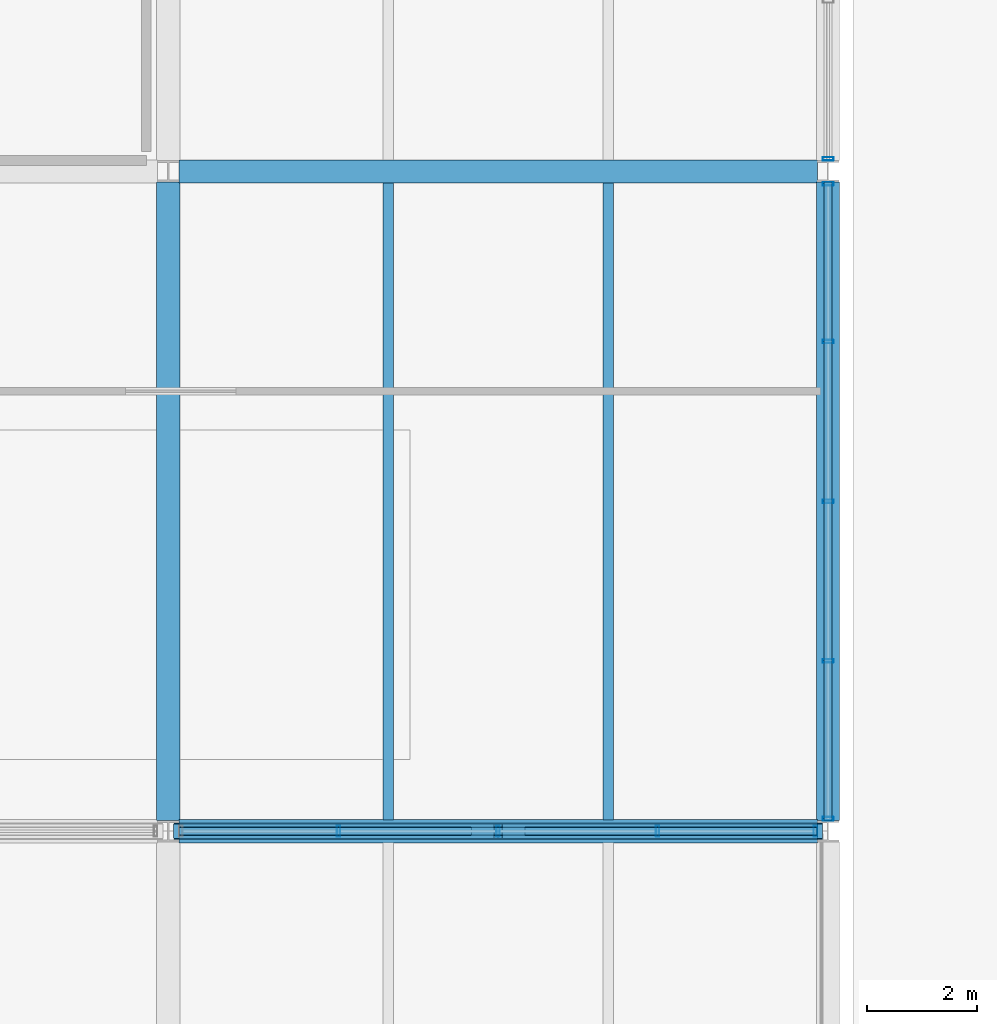
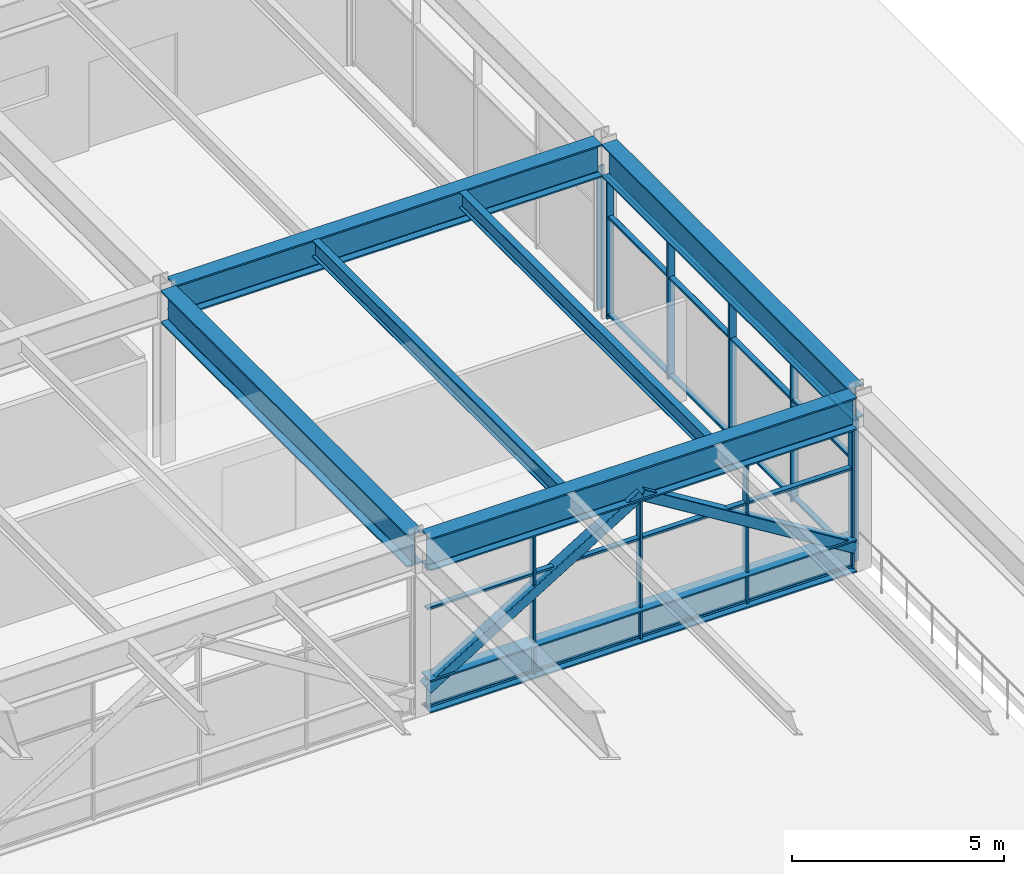
# One storey, part 29 of 42: 19 members, 6 beams, 3 elements without a shape of their own.
"""IFC4 building model written with IfcOpenShell, lengths in metres."""

from ifc_helpers import new_model, si_unit, direction, frame, origin, origin_2d, place, context, subcontext, project, spatial, hollow_rectangle, i_section, extrude, material, material_profile, profile_set, type_object, element, aggregate, save


model = new_model("IFC4")

# Units and contexts
model_context = context("Model", 3, precision=1e-05, world=origin(), true_north=direction((0.0, 1.0)))
body_context = subcontext(model_context, "Body", "Model", "MODEL_VIEW")
ifc_project = project(units=[si_unit("LENGTHUNIT", "METRE"), si_unit("AREAUNIT", "SQUARE_METRE"), si_unit("VOLUMEUNIT", "CUBIC_METRE"), si_unit("PLANEANGLEUNIT", "RADIAN"), si_unit("MASSUNIT", "GRAM", prefix="KILO")], contexts=[model_context])

# Site, building, storey
site_placement = place(None, origin())
site = spatial("IfcSite", under=ifc_project, at=site_placement, CompositionType="ELEMENT")
building_placement = place(site_placement, origin())
building = spatial("IfcBuilding", under=site, at=building_placement, Name="Girod Span Mobility Hub", CompositionType="ELEMENT")
storey_placement = place(building_placement, frame((0.0, 0.0, 32.39990234375)))
storey = spatial("IfcBuildingStorey", under=building, at=storey_placement, Name="L08", CompositionType="ELEMENT", Elevation=32.39990234375)

# Beams
ifc_material_1 = material(Name="Steel A992 Grade 50", Category="steel")
ifc_material_profile_1 = material_profile(ifc_material_1, i_section(OverallWidth=0.19189453125, OverallDepth=0.462890625, WebThickness=0.010498046875, FlangeThickness=0.017578125, FilletRadius=0.013916015625, at=origin_2d()), Name="W18X60")
ifc_profile_set_1 = profile_set([ifc_material_profile_1], Name="Steel A992 Grade 50")
beam_type_1 = type_object("IfcBeamType", Name="BM-STL-W18X60", PredefinedType="BEAM", material=ifc_profile_set_1)
for number, where, z_axis, x_axis, name in (
    (1, (136.0, 45.20849609375, 4.80859375), (0.0, 1.0, 0.0), (-1.0, 0.0, 0.0), "Composite Floorbeam 12/D-1 L08"),
    (2, (140.0, 45.20849609375, 4.80859375), (0.0, 1.0, 0.0), (-1.0, 0.0, 0.0), "Composite Floorbeam 12/D-2 L08"),
):
    element("IfcBeam", number, at=place(storey_placement, frame(where, z_axis=z_axis, x_axis=x_axis)), inside=storey, type_object=beam_type_1, Name=name, PredefinedType="BEAM", context=body_context, shape_type="SweptSolid", body=[
        extrude(i_section(OverallWidth=0.19189453125, OverallDepth=0.462890625, WebThickness=0.010498046875, FlangeThickness=0.017578125, FilletRadius=0.013916015625, at=origin_2d()), origin(), (0.0, 0.0, 1.0), 11.5830078125),
    ])
ifc_material_2 = material(Name="Steel A992 Grade 50", Category="steel")
ifc_material_profile_2 = material_profile(ifc_material_2, i_section(OverallWidth=0.423095703125, OverallDepth=0.93994140625, WebThickness=0.02392578125, FlangeThickness=0.042724609375, FilletRadius=0.02392578125, at=origin_2d()), Name="W36X302")
ifc_profile_set_2 = profile_set([ifc_material_profile_2], Name="Steel A992 Grade 50")
beam_type_2 = type_object("IfcBeamType", Name="BM-STL-W36X302", PredefinedType="BEAM", material=ifc_profile_set_2)
for number, where, z_axis, x_axis, name in (
    (3, (132.196533203125, 45.0, 4.570068359375), (1.0, 0.0, 0.0), (0.0, 1.0, 0.0), "Girder 12-13/D L08"),
    (4, (132.196533203125, 57.0, 4.570068359375), (1.0, 0.0, 0.0), (0.0, 1.0, 0.0), "Girder 12-13/E L08"),
):
    element("IfcBeam", number, at=place(storey_placement, frame(where, z_axis=z_axis, x_axis=x_axis)), inside=storey, type_object=beam_type_2, Name=name, PredefinedType="BEAM", context=body_context, shape_type="SweptSolid", body=[
        extrude(i_section(OverallWidth=0.423095703125, OverallDepth=0.93994140625, WebThickness=0.02392578125, FlangeThickness=0.042724609375, FilletRadius=0.02392578125, at=origin_2d()), origin(), (0.0, 0.0, 1.0), 11.60693359375),
    ])
for number, where, z_axis, x_axis, name in (
    (5, (132.0, 45.193603515625, 4.570068359375), (0.0, 1.0, 0.0), (-1.0, 0.0, 0.0), "Tie Girder 12/D-E L08"),
    (6, (144.0, 45.193603515625, 4.570068359375), (0.0, 1.0, 0.0), (-1.0, 0.0, 0.0), "Tie Girder 13/D-E L08"),
):
    element("IfcBeam", number, at=place(storey_placement, frame(where, z_axis=z_axis, x_axis=x_axis)), inside=storey, type_object=beam_type_2, Name=name, PredefinedType="BEAM", context=body_context, shape_type="SweptSolid", body=[
        extrude(i_section(OverallWidth=0.423095703125, OverallDepth=0.93994140625, WebThickness=0.02392578125, FlangeThickness=0.042724609375, FilletRadius=0.02392578125, at=origin_2d()), origin(), (0.0, 0.0, 1.0), 11.61279296875),
    ])

# Curtain wall, members
ifc_material_3 = material(Name="Thermally Broken Anodised Aluminium", Category="aluminium")
curtain_wall_type_1 = type_object("IfcCurtainWallType", Name="CW-1160X410", PredefinedType="USERDEFINED", material=ifc_material_3)
curtain_wall_1_placement = place(storey_placement, origin())
curtain_wall_1 = element("IfcCurtainWall", 7, at=curtain_wall_1_placement, inside=storey, type_object=curtain_wall_type_1, Name="Unitised Curtain Wall CW-L08-S12 L08", ObjectType="UNITISED CURTAIN WALL", PredefinedType="USERDEFINED")
ifc_material_4 = material(Name="Thermally Broken Anodised Aluminium", Category="aluminium")
ifc_material_profile_3 = material_profile(ifc_material_4, hollow_rectangle(XDim=0.199951171875, YDim=0.06494140625, WallThickness=0.00390625, InnerFilletRadius=0.00390625, OuterFilletRadius=0.008056640625, at=origin_2d()), Name="CW-ML-65X200")
ifc_profile_set_3 = profile_set([ifc_material_profile_3], Name="Thermally Broken Anodised Aluminium")
member_type_1 = type_object("IfcMemberType", Name="CWM-ML-1", PredefinedType="MULLION", material=ifc_profile_set_3)
member_1_placement = place(storey_placement, frame((135.0986328125, 45.0, 0.0), z_axis=(0.0, 0.0, 1.0), x_axis=(0.0, 1.0, 0.0)))
member_1 = element("IfcMember", 8, at=member_1_placement, type_object=member_type_1, Name="Curtain Wall Mullion CW-L08-S12-M1", PredefinedType="MULLION", context=body_context, shape_type="SweptSolid", body=[
    extrude(hollow_rectangle(XDim=0.199951171875, YDim=0.06494140625, WallThickness=0.00390625, InnerFilletRadius=0.00390625, OuterFilletRadius=0.008056640625, at=origin_2d()), origin(), (0.0, 0.0, 1.0), 4.10009765625),
])
member_2_placement = place(storey_placement, frame((138.0, 45.0, 0.0), z_axis=(0.0, 0.0, 1.0), x_axis=(0.0, 1.0, 0.0)))
member_2 = element("IfcMember", 9, at=member_2_placement, type_object=member_type_1, Name="Curtain Wall Mullion CW-L08-S12-M2", PredefinedType="MULLION", context=body_context, shape_type="SweptSolid", body=[
    extrude(hollow_rectangle(XDim=0.199951171875, YDim=0.06494140625, WallThickness=0.00390625, InnerFilletRadius=0.00390625, OuterFilletRadius=0.008056640625, at=origin_2d()), origin(), (0.0, 0.0, 1.0), 4.10009765625),
])
member_3_placement = place(storey_placement, frame((140.9013671875, 45.0, 0.0), z_axis=(0.0, 0.0, 1.0), x_axis=(0.0, 1.0, 0.0)))
member_3 = element("IfcMember", 10, at=member_3_placement, type_object=member_type_1, Name="Curtain Wall Mullion CW-L08-S12-M3", PredefinedType="MULLION", context=body_context, shape_type="SweptSolid", body=[
    extrude(hollow_rectangle(XDim=0.199951171875, YDim=0.06494140625, WallThickness=0.00390625, InnerFilletRadius=0.00390625, OuterFilletRadius=0.008056640625, at=origin_2d()), origin(), (0.0, 0.0, 1.0), 4.10009765625),
])
member_4_placement = place(storey_placement, frame((143.7705078125, 45.0, 0.0), z_axis=(0.0, 0.0, 1.0), x_axis=(0.0, 1.0, 0.0)))
member_4 = element("IfcMember", 11, at=member_4_placement, type_object=member_type_1, Name="Curtain Wall Mullion CW-L08-S12-M4", PredefinedType="MULLION", context=body_context, shape_type="SweptSolid", body=[
    extrude(hollow_rectangle(XDim=0.199951171875, YDim=0.06494140625, WallThickness=0.00390625, InnerFilletRadius=0.00390625, OuterFilletRadius=0.008056640625, at=origin_2d()), origin(), (0.0, 0.0, 1.0), 4.10009765625),
])

ifc_material_5 = material(Name="Thermally Broken Anodised Aluminium", Category="aluminium")
curtain_wall_type_2 = type_object("IfcCurtainWallType", Name="CW-1161X410", PredefinedType="USERDEFINED", material=ifc_material_5)
curtain_wall_2_placement = place(storey_placement, origin())
curtain_wall_2 = element("IfcCurtainWall", 12, at=curtain_wall_2_placement, inside=storey, type_object=curtain_wall_type_2, Name="Unitised Curtain Wall CW-L08-ED L08", ObjectType="UNITISED CURTAIN WALL", PredefinedType="USERDEFINED")
member_5_placement = place(storey_placement, frame((144.0, 45.2265625, 0.0), z_axis=(0.0, 0.0, 1.0), x_axis=(1.0, 0.0, 0.0)))
member_5 = element("IfcMember", 13, at=member_5_placement, type_object=member_type_1, Name="Curtain Wall Mullion CW-L08-ED-M0", PredefinedType="MULLION", context=body_context, shape_type="SweptSolid", body=[
    extrude(hollow_rectangle(XDim=0.199951171875, YDim=0.06494140625, WallThickness=0.00390625, InnerFilletRadius=0.00390625, OuterFilletRadius=0.008056640625, at=origin_2d()), origin(), (0.0, 0.0, 1.0), 4.10009765625),
])
member_6_placement = place(storey_placement, frame((144.0, 48.09716796875, 0.0), z_axis=(0.0, 0.0, 1.0), x_axis=(1.0, 0.0, 0.0)))
member_6 = element("IfcMember", 14, at=member_6_placement, type_object=member_type_1, Name="Curtain Wall Mullion CW-L08-ED-M1", PredefinedType="MULLION", context=body_context, shape_type="SweptSolid", body=[
    extrude(hollow_rectangle(XDim=0.199951171875, YDim=0.06494140625, WallThickness=0.00390625, InnerFilletRadius=0.00390625, OuterFilletRadius=0.008056640625, at=origin_2d()), origin(), (0.0, 0.0, 1.0), 4.10009765625),
])
member_7_placement = place(storey_placement, frame((144.0, 51.0, 0.0), z_axis=(0.0, 0.0, 1.0), x_axis=(1.0, 0.0, 0.0)))
member_7 = element("IfcMember", 15, at=member_7_placement, type_object=member_type_1, Name="Curtain Wall Mullion CW-L08-ED-M2", PredefinedType="MULLION", context=body_context, shape_type="SweptSolid", body=[
    extrude(hollow_rectangle(XDim=0.199951171875, YDim=0.06494140625, WallThickness=0.00390625, InnerFilletRadius=0.00390625, OuterFilletRadius=0.008056640625, at=origin_2d()), origin(), (0.0, 0.0, 1.0), 4.10009765625),
])
member_8_placement = place(storey_placement, frame((144.0, 53.902587890625, 0.0), z_axis=(0.0, 0.0, 1.0), x_axis=(1.0, 0.0, 0.0)))
member_8 = element("IfcMember", 16, at=member_8_placement, type_object=member_type_1, Name="Curtain Wall Mullion CW-L08-ED-M3", PredefinedType="MULLION", context=body_context, shape_type="SweptSolid", body=[
    extrude(hollow_rectangle(XDim=0.199951171875, YDim=0.06494140625, WallThickness=0.00390625, InnerFilletRadius=0.00390625, OuterFilletRadius=0.008056640625, at=origin_2d()), origin(), (0.0, 0.0, 1.0), 4.10009765625),
])
member_9_placement = place(storey_placement, frame((144.0, 56.7734375, 0.0), z_axis=(0.0, 0.0, 1.0), x_axis=(1.0, 0.0, 0.0)))
member_9 = element("IfcMember", 17, at=member_9_placement, type_object=member_type_1, Name="Curtain Wall Mullion CW-L08-ED-M4", PredefinedType="MULLION", context=body_context, shape_type="SweptSolid", body=[
    extrude(hollow_rectangle(XDim=0.199951171875, YDim=0.06494140625, WallThickness=0.00390625, InnerFilletRadius=0.00390625, OuterFilletRadius=0.008056640625, at=origin_2d()), origin(), (0.0, 0.0, 1.0), 4.10009765625),
])

# Curtain wall, member
curtain_wall_3_placement = place(storey_placement, origin())
curtain_wall_3 = element("IfcCurtainWall", 18, at=curtain_wall_3_placement, inside=storey, type_object=curtain_wall_type_2, Name="Unitised Curtain Wall CW-L08-EE L08", ObjectType="UNITISED CURTAIN WALL", PredefinedType="USERDEFINED")
member_10_placement = place(storey_placement, frame((144.0, 57.2265625, 0.0), z_axis=(0.0, 0.0, 1.0), x_axis=(1.0, 0.0, 0.0)))
member_10 = element("IfcMember", 19, at=member_10_placement, type_object=member_type_1, Name="Curtain Wall Mullion CW-L08-EE-M0", PredefinedType="MULLION", context=body_context, shape_type="SweptSolid", body=[
    extrude(hollow_rectangle(XDim=0.199951171875, YDim=0.06494140625, WallThickness=0.00390625, InnerFilletRadius=0.00390625, OuterFilletRadius=0.008056640625, at=origin_2d()), origin(), (0.0, 0.0, 1.0), 4.10009765625),
])
aggregate(curtain_wall_3, [member_10])

# Member
ifc_material_6 = material(Name="Thermally Broken Anodised Aluminium", Category="aluminium")
ifc_material_profile_4 = material_profile(ifc_material_6, hollow_rectangle(XDim=0.14990234375, YDim=0.06494140625, WallThickness=0.00390625, InnerFilletRadius=0.00390625, OuterFilletRadius=0.008056640625, at=origin_2d()), Name="CW-TR-65X150")
ifc_profile_set_4 = profile_set([ifc_material_profile_4], Name="Thermally Broken Anodised Aluminium")
member_type_2 = type_object("IfcMemberType", Name="CWM-TR-1", PredefinedType="USERDEFINED", material=ifc_profile_set_4)
member_11_placement = place(storey_placement, frame((132.197509765625, 45.0, 0.107666015625), z_axis=(1.0, 0.0, 0.0), x_axis=(0.0, 1.0, 0.0)))
member_11 = element("IfcMember", 20, at=member_11_placement, type_object=member_type_2, Name="Curtain Wall Transom CW-L08-S12-T1", ObjectType="TRANSOM", PredefinedType="USERDEFINED", context=body_context, shape_type="SweptSolid", body=[
    extrude(hollow_rectangle(XDim=0.14990234375, YDim=0.06494140625, WallThickness=0.00390625, InnerFilletRadius=0.00390625, OuterFilletRadius=0.008056640625, at=origin_2d()), origin(), (0.0, 0.0, 1.0), 11.60498046875),
])

member_12_placement = place(storey_placement, frame((132.197509765625, 45.0, 2.919677734375), z_axis=(1.0, 0.0, 0.0), x_axis=(0.0, 1.0, 0.0)))
member_12 = element("IfcMember", 21, at=member_12_placement, type_object=member_type_2, Name="Curtain Wall Transom CW-L08-S12-T2", ObjectType="TRANSOM", PredefinedType="USERDEFINED", context=body_context, shape_type="SweptSolid", body=[
    extrude(hollow_rectangle(XDim=0.14990234375, YDim=0.06494140625, WallThickness=0.00390625, InnerFilletRadius=0.00390625, OuterFilletRadius=0.008056640625, at=origin_2d()), origin(), (0.0, 0.0, 1.0), 11.60498046875),
])

member_13_placement = place(storey_placement, frame((132.197509765625, 45.0, 4.067626953125), z_axis=(1.0, 0.0, 0.0), x_axis=(0.0, 1.0, 0.0)))
member_13 = element("IfcMember", 22, at=member_13_placement, type_object=member_type_2, Name="Curtain Wall Transom CW-L08-S12-T3", ObjectType="TRANSOM", PredefinedType="USERDEFINED", context=body_context, shape_type="SweptSolid", body=[
    extrude(hollow_rectangle(XDim=0.14990234375, YDim=0.06494140625, WallThickness=0.00390625, InnerFilletRadius=0.00390625, OuterFilletRadius=0.008056640625, at=origin_2d()), origin(), (0.0, 0.0, 1.0), 11.60498046875),
])

aggregate(curtain_wall_1, [member_1, member_2, member_3, member_4, member_11, member_12, member_13])

member_14_placement = place(storey_placement, frame((144.0, 45.194580078125, 0.107666015625), z_axis=(0.0, 1.0, 0.0), x_axis=(-1.0, 0.0, 0.0)))
member_14 = element("IfcMember", 23, at=member_14_placement, type_object=member_type_2, Name="Curtain Wall Transom CW-L08-ED-T1", ObjectType="TRANSOM", PredefinedType="USERDEFINED", context=body_context, shape_type="SweptSolid", body=[
    extrude(hollow_rectangle(XDim=0.14990234375, YDim=0.06494140625, WallThickness=0.00390625, InnerFilletRadius=0.00390625, OuterFilletRadius=0.008056640625, at=origin_2d()), origin(), (0.0, 0.0, 1.0), 11.61083984375),
])

member_15_placement = place(storey_placement, frame((144.0, 45.194580078125, 2.919677734375), z_axis=(0.0, 1.0, 0.0), x_axis=(-1.0, 0.0, 0.0)))
member_15 = element("IfcMember", 24, at=member_15_placement, type_object=member_type_2, Name="Curtain Wall Transom CW-L08-ED-T2", ObjectType="TRANSOM", PredefinedType="USERDEFINED", context=body_context, shape_type="SweptSolid", body=[
    extrude(hollow_rectangle(XDim=0.14990234375, YDim=0.06494140625, WallThickness=0.00390625, InnerFilletRadius=0.00390625, OuterFilletRadius=0.008056640625, at=origin_2d()), origin(), (0.0, 0.0, 1.0), 11.61083984375),
])

member_16_placement = place(storey_placement, frame((144.0, 45.194580078125, 4.067626953125), z_axis=(0.0, 1.0, 0.0), x_axis=(-1.0, 0.0, 0.0)))
member_16 = element("IfcMember", 25, at=member_16_placement, type_object=member_type_2, Name="Curtain Wall Transom CW-L08-ED-T3", ObjectType="TRANSOM", PredefinedType="USERDEFINED", context=body_context, shape_type="SweptSolid", body=[
    extrude(hollow_rectangle(XDim=0.14990234375, YDim=0.06494140625, WallThickness=0.00390625, InnerFilletRadius=0.00390625, OuterFilletRadius=0.008056640625, at=origin_2d()), origin(), (0.0, 0.0, 1.0), 11.61083984375),
])

aggregate(curtain_wall_2, [member_5, member_6, member_7, member_8, member_9, member_14, member_15, member_16])

# Members
ifc_material_7 = material(Name="Steel HSS A500 Grade C", Category="steel")
ifc_material_profile_5 = material_profile(ifc_material_7, hollow_rectangle(XDim=0.304931640625, YDim=0.304931640625, WallThickness=0.014892578125, InnerFilletRadius=0.014892578125, OuterFilletRadius=0.029541015625, at=origin_2d()), Name="HSS305X305X16")
ifc_profile_set_5 = profile_set([ifc_material_profile_5], Name="Steel HSS A500 Grade C")
member_type_3 = type_object("IfcMemberType", Name="MB-BR-HSS305", PredefinedType="BRACE", material=ifc_profile_set_5)
for number, where, z_axis, x_axis, name in (
    (26, (132.179443359375, 45.0, 0.650146484375), (0.852429572688, 0.0, 0.522842063731), (0.0, 1.0, 0.0), "Warren Transfer Truss Web Diagonal Y=45 12-L"),
    (27, (143.820556640625, 45.0, 0.650146484375), (-0.852429572688, 0.0, 0.522842063731), (0.0, -1.0, 0.0), "Warren Transfer Truss Web Diagonal Y=45 12-R"),
):
    element("IfcMember", number, at=place(storey_placement, frame(where, z_axis=z_axis, x_axis=x_axis)), inside=storey, type_object=member_type_3, Name=name, PredefinedType="BRACE", context=body_context, shape_type="SweptSolid", body=[
        extrude(hollow_rectangle(XDim=0.304931640625, YDim=0.304931640625, WallThickness=0.014892578125, InnerFilletRadius=0.014892578125, OuterFilletRadius=0.029541015625, at=origin_2d()), origin(), (0.0, 0.0, 1.0), 6.828125),
    ])
ifc_material_8 = material(Name="Steel A992 Grade 50", Category="steel")
ifc_material_profile_6 = material_profile(ifc_material_8, i_section(OverallWidth=0.423095703125, OverallDepth=0.93994140625, WebThickness=0.02392578125, FlangeThickness=0.042724609375, FilletRadius=0.02392578125, at=origin_2d()), Name="W36X302")
ifc_profile_set_6 = profile_set([ifc_material_profile_6], Name="Steel A992 Grade 50")
member_type_4 = type_object("IfcMemberType", Name="MB-CH-W36X302", PredefinedType="CHORD", material=ifc_profile_set_6)
member_17_placement = place(storey_placement, frame((132.196533203125, 45.0, 0.47998046875), z_axis=(1.0, 0.0, 0.0), x_axis=(0.0, 1.0, 0.0)))
element("IfcMember", 28, at=member_17_placement, inside=storey, type_object=member_type_4, Name="Warren Transfer Truss Bottom Chord Y=45 Bay 12", PredefinedType="CHORD", context=body_context, shape_type="SweptSolid", body=[
    extrude(i_section(OverallWidth=0.423095703125, OverallDepth=0.93994140625, WebThickness=0.02392578125, FlangeThickness=0.042724609375, FilletRadius=0.02392578125, at=origin_2d()), origin(), (0.0, 0.0, 1.0), 11.60693359375),
])

save(model, "model.ifc")
